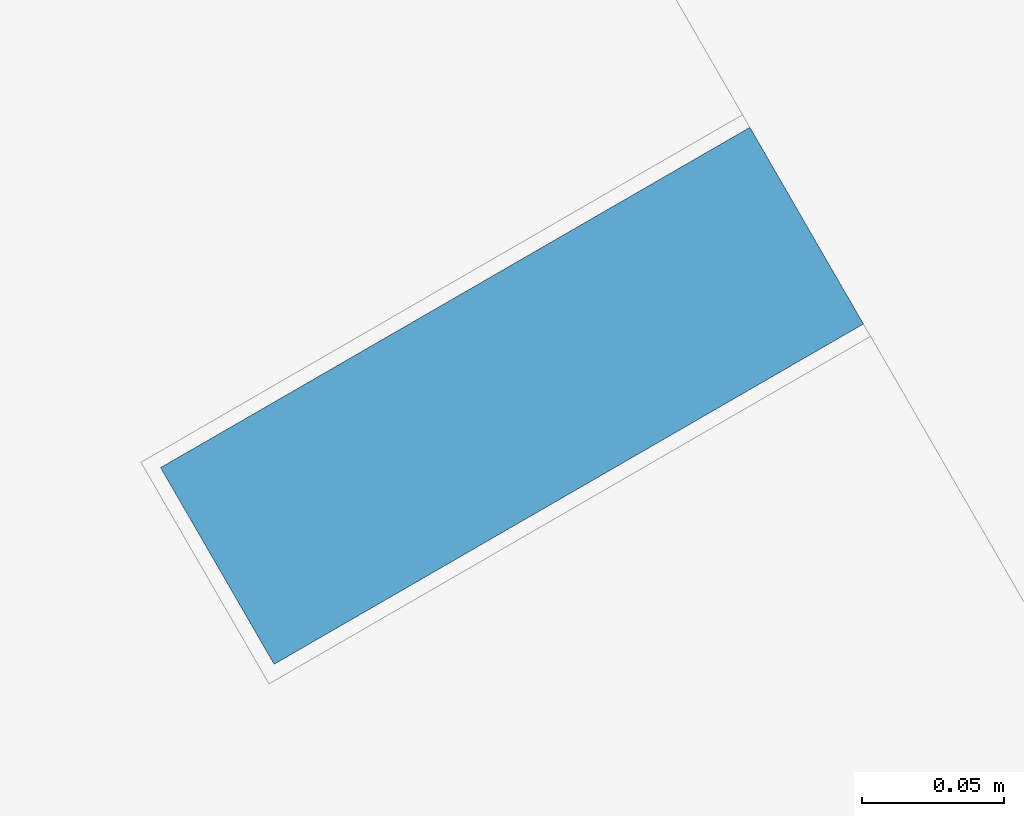
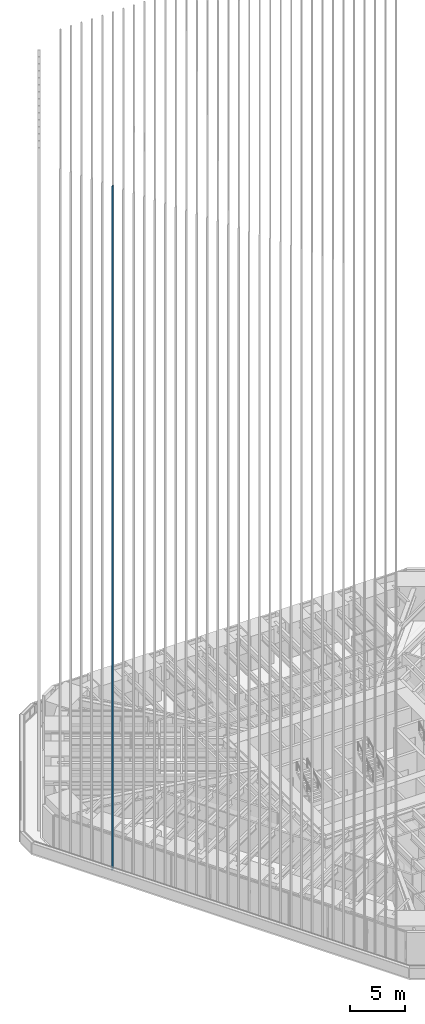
# One storey, part 54 of 238: 1 member, 1 element without a shape of its own.
"""IFC4 building model written with IfcOpenShell, lengths in metres."""

from ifc_helpers import new_model, si_unit, direction, frame, origin, origin_2d, place, context, subcontext, project, spatial, rectangle, extrude, material, material_profile, profile_set, type_object, element, aggregate, save


model = new_model("IFC4")

# Units and contexts
model_context = context("Model", 3, precision=1e-05, world=origin(), true_north=direction((0.0, 1.0)))
body_context = subcontext(model_context, "Body", "Model", "MODEL_VIEW")
ifc_project = project(units=[si_unit("LENGTHUNIT", "METRE"), si_unit("AREAUNIT", "SQUARE_METRE"), si_unit("VOLUMEUNIT", "CUBIC_METRE"), si_unit("PLANEANGLEUNIT", "RADIAN"), si_unit("MASSUNIT", "GRAM", prefix="KILO")], contexts=[model_context])

# Site, building, storey
site_placement = place(None, origin())
site = spatial("IfcSite", under=ifc_project, at=site_placement, CompositionType="ELEMENT")
building_placement = place(site_placement, origin())
building = spatial("IfcBuilding", under=site, at=building_placement, Name="Sandreach Pilgrim Tower", CompositionType="ELEMENT")
storey_placement = place(building_placement, frame((0.0, 0.0, 96.800048828125)))
storey = spatial("IfcBuildingStorey", under=building, at=storey_placement, Name="L23", CompositionType="ELEMENT", Elevation=96.800048828125)

# Curtain wall, member
ifc_material_1 = material(Name="Aluminium framed curtain wall", Category="aluminium")
curtain_wall_type = type_object("IfcCurtainWallType", Name="Hotel tower curtain wall", PredefinedType="NOTDEFINED", material=ifc_material_1)
curtain_wall_placement = place(storey_placement, origin())
curtain_wall = element("IfcCurtainWall", 1, at=curtain_wall_placement, inside=storey, type_object=curtain_wall_type, Name="CW-2 L23 SW", PredefinedType="NOTDEFINED")
ifc_material_2 = material(Name="Extruded terracotta on aluminium core", Category="masonry")
ifc_material_profile = material_profile(ifc_material_2, rectangle(XDim=0.080078125, YDim=0.239990234375, at=origin_2d()), Name="TBW 80X240")
ifc_profile_set = profile_set([ifc_material_profile], Name="Extruded terracotta on aluminium core")
member_type = type_object("IfcMemberType", Name="Terracotta baguette west", PredefinedType="USERDEFINED", material=ifc_profile_set)
member_placement = place(storey_placement, frame((-25.901611328125, -0.964599609375, 0.0), z_axis=(0.0, 0.0, 1.0), x_axis=(-0.5, 0.866025403784, 0.0)))
member = element("IfcMember", 2, at=member_placement, type_object=member_type, Name="Baguette Z2 SW28", ObjectType="BAGUETTE", PredefinedType="USERDEFINED", context=body_context, shape_type="SweptSolid", body=[
    extrude(rectangle(XDim=0.080078125, YDim=0.239990234375, at=origin_2d()), origin(), (0.0, 0.0, 1.0), 75.83984375),
])
aggregate(curtain_wall, [member])

save(model, "model.ifc")
